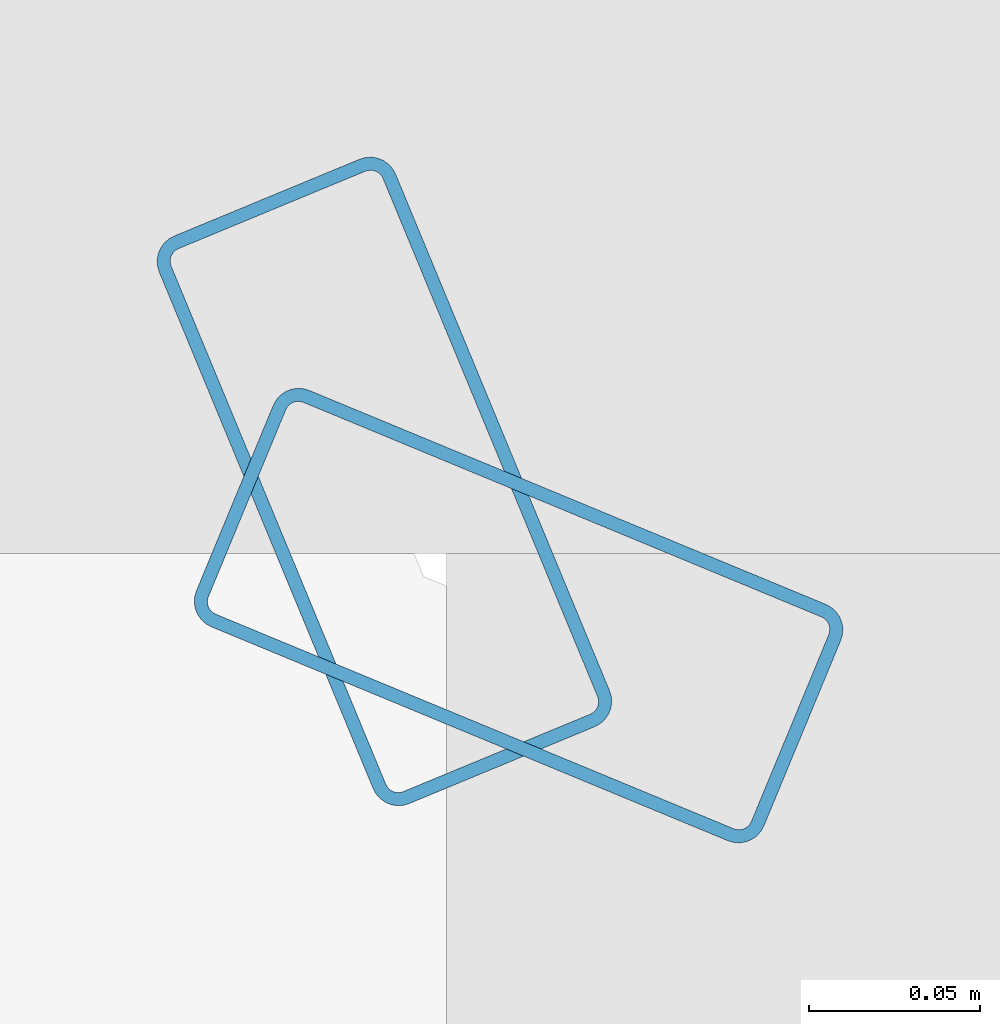
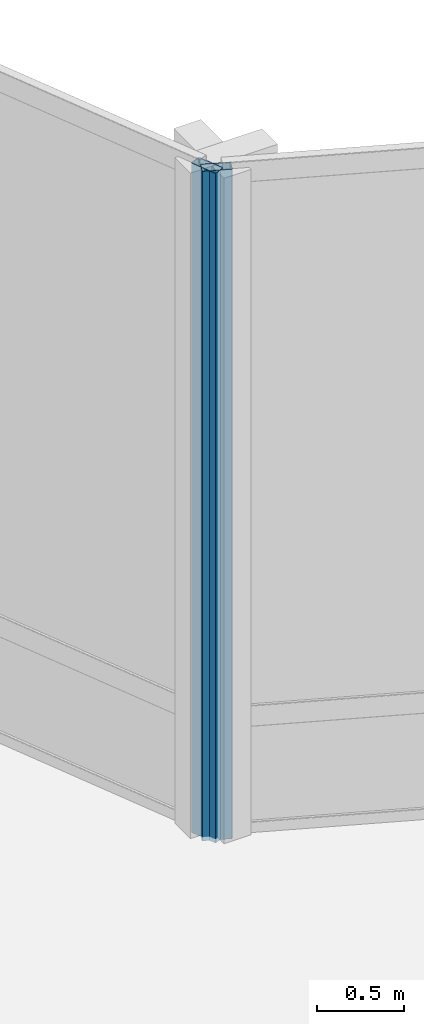
# One storey, part 9 of 29: 2 members, 2 elements without a shape of their own.
"""IFC4 building model written with IfcOpenShell, lengths in metres."""

from ifc_helpers import new_model, si_unit, direction, frame, origin, origin_2d, place, context, subcontext, project, spatial, hollow_rectangle, extrude, material, layer, layer_set, material_profile, profile_set, type_object, element, aggregate, save


model = new_model("IFC4")

# Units and contexts
model_context = context("Model", 3, precision=1e-05, world=origin(), true_north=direction((0.0, 1.0)))
body_context = subcontext(model_context, "Body", "Model", "MODEL_VIEW")
ifc_project = project(units=[si_unit("LENGTHUNIT", "METRE"), si_unit("AREAUNIT", "SQUARE_METRE"), si_unit("VOLUMEUNIT", "CUBIC_METRE"), si_unit("PLANEANGLEUNIT", "RADIAN"), si_unit("MASSUNIT", "GRAM", prefix="KILO")], contexts=[model_context])

# Site, building, storey
site_placement = place(None, origin())
site = spatial("IfcSite", under=ifc_project, at=site_placement, CompositionType="ELEMENT")
building_placement = place(site_placement, origin())
building = spatial("IfcBuilding", under=site, at=building_placement, Name="Solvaryn Broadcast Tower", CompositionType="ELEMENT")
storey_placement = place(building_placement, frame((0.0, 0.0, 169.199951171875)))
storey = spatial("IfcBuildingStorey", under=building, at=storey_placement, Name="L42", CompositionType="ELEMENT", Elevation=169.199951171875)

# Curtain wall, member
ifc_material_1 = material(Name="Aluminium and Terracotta Unitised Curtain Wall", Category="masonry")
ifc_layer = layer(ifc_material_1, 0.25)
ifc_layer_set = layer_set([ifc_layer], Name="CW-SYS4-SKYGARDEN")
curtain_wall_type = type_object("IfcCurtainWallType", Name="CW-SYS4-SKYGARDEN", PredefinedType="NOTDEFINED", material=ifc_layer_set)
curtain_wall_1_placement = place(storey_placement, origin())
curtain_wall_1 = element("IfcCurtainWall", 1, at=curtain_wall_1_placement, inside=storey, type_object=curtain_wall_type, Name="L42 Curtain Wall CN1", PredefinedType="NOTDEFINED")
ifc_material_2 = material(Name="Anodised Aluminium 6063-T6", Category="aluminium")
ifc_material_profile = material_profile(ifc_material_2, hollow_rectangle(XDim=0.074951171875, YDim=0.179931640625, WallThickness=0.00390625, InnerFilletRadius=0.00390625, OuterFilletRadius=0.008056640625, at=origin_2d()))
ifc_profile_set = profile_set([ifc_material_profile], Name="Anodised Aluminium 6063-T6")
member_type = type_object("IfcMemberType", Name="CW-MUL-180", PredefinedType="MULLION", material=ifc_profile_set)
member_1_placement = place(storey_placement, frame((30.395751953125, 30.3564453125, 0.0), z_axis=(0.0, 0.0, 1.0), x_axis=(-0.382646127145, -0.923894983957, 0.0)))
member_1 = element("IfcMember", 2, at=member_1_placement, type_object=member_type, Name="CWS4 mullion 2", PredefinedType="MULLION", context=body_context, shape_type="SweptSolid", body=[
    extrude(hollow_rectangle(XDim=0.074951171875, YDim=0.179931640625, WallThickness=0.00390625, InnerFilletRadius=0.00390625, OuterFilletRadius=0.008056640625, at=origin_2d()), origin(), (0.0, 0.0, 1.0), 4.719970703125),
])
aggregate(curtain_wall_1, [member_1])

curtain_wall_2_placement = place(storey_placement, origin())
curtain_wall_2 = element("IfcCurtainWall", 3, at=curtain_wall_2_placement, inside=storey, type_object=curtain_wall_type, Name="L42 Curtain Wall CN2", PredefinedType="NOTDEFINED")
member_2_placement = place(storey_placement, frame((30.3564453125, 30.395751953125, 0.0), z_axis=(0.0, 0.0, 1.0), x_axis=(-0.923894983957, -0.382646127145, 0.0)))
member_2 = element("IfcMember", 4, at=member_2_placement, type_object=member_type, Name="CWS4 mullion 1", PredefinedType="MULLION", context=body_context, shape_type="SweptSolid", body=[
    extrude(hollow_rectangle(XDim=0.074951171875, YDim=0.179931640625, WallThickness=0.00390625, InnerFilletRadius=0.00390625, OuterFilletRadius=0.008056640625, at=origin_2d()), origin(), (0.0, 0.0, 1.0), 4.719970703125),
])
aggregate(curtain_wall_2, [member_2])

save(model, "model.ifc")
